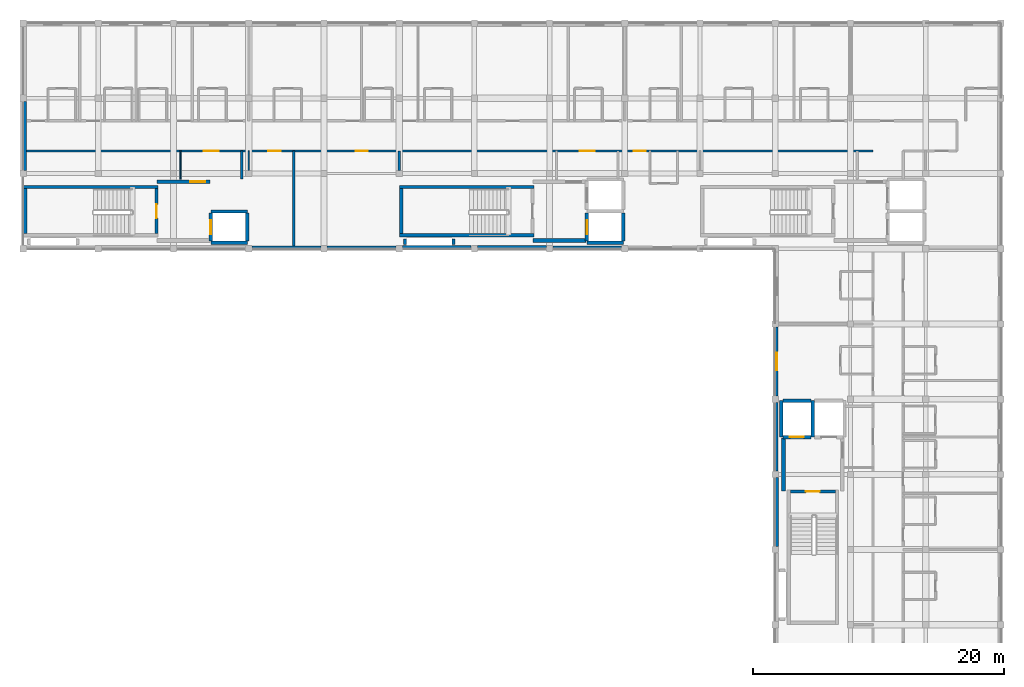
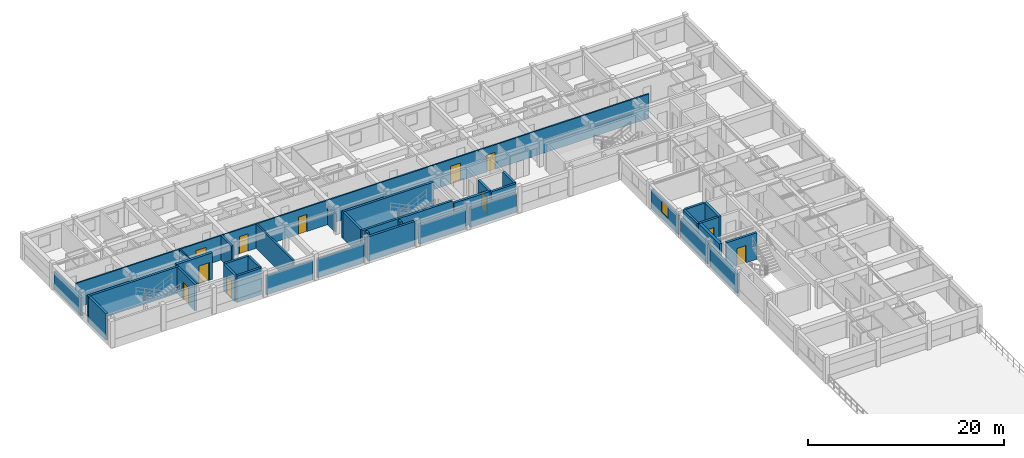
# One storey, part 3 of 14: 38 walls, 11 doors, 1 window, 12 openings.
"""IFC4 building model written with IfcOpenShell, lengths in metres."""

from ifc_helpers import new_model, si_unit, direction, frame, frame_2d, origin, place, context, subcontext, project, spatial, rectangle, extrude, material, layer, layer_set, type_object, element, fill, save


model = new_model("IFC4")

# Units and contexts
model_context = context("Model", 3, precision=1e-05, world=origin(), true_north=direction((0.0, 1.0)))
body_context = subcontext(model_context, "Body", "Model", "MODEL_VIEW")
ifc_project = project(units=[si_unit("LENGTHUNIT", "METRE"), si_unit("AREAUNIT", "SQUARE_METRE"), si_unit("VOLUMEUNIT", "CUBIC_METRE"), si_unit("PLANEANGLEUNIT", "RADIAN"), si_unit("MASSUNIT", "GRAM", prefix="KILO"), si_unit("THERMODYNAMICTEMPERATUREUNIT", "KELVIN"), si_unit("POWERUNIT", "WATT")], contexts=[model_context])

# Site, building, storey
site_placement = place(None, origin())
site = spatial("IfcSite", under=ifc_project, at=site_placement, CompositionType="ELEMENT")
building_placement = place(site_placement, origin())
building = spatial("IfcBuilding", under=site, at=building_placement, Name="Phaisarnlok Congress Hotel", CompositionType="ELEMENT")
storey_placement = place(building_placement, frame((0.0, 0.0, 44.699951171875)))
storey = spatial("IfcBuildingStorey", under=building, at=storey_placement, Name="L11", CompositionType="ELEMENT", Elevation=44.699951171875)

# Walls
ifc_material_1 = material(Name="Concrete C40/50", Category="concrete")
ifc_layer_1 = layer(ifc_material_1, 0.2099609375, Name="Concrete C40/50")
ifc_layer_set_1 = layer_set([ifc_layer_1], Name="Concrete C40/50")
wall_type_1 = type_object("IfcWallType", Name="WL-EXT-210", PredefinedType="SOLIDWALL", material=ifc_layer_set_1)
for number, where, z_axis, x_axis, name in (
    (1, (126.2548828125, 108.10498046875, 0.0), (0.0, 0.0, 1.0), (1.0, 0.0, 0.0), "Exterior wall EW-07 (L11)"),
    (2, (162.10498046875, 95.7451171875, 0.0), (0.0, 0.0, 1.0), (0.0, -1.0, 0.0), "Exterior wall EW-07 (L11)"),
):
    element("IfcWall", number, at=place(storey_placement, frame(where, z_axis=z_axis, x_axis=x_axis)), inside=storey, type_object=wall_type_1, Name=name, PredefinedType="SOLIDWALL", context=body_context, shape_type="SweptSolid", body=[
        extrude(rectangle(XDim=5.490234375, YDim=0.2099609375, at=frame_2d((2.7451171875, 0.0))), origin(), (0.0, 0.0, 1.0), 2.400146484375),
    ])
ifc_layer_2 = layer(ifc_material_1, 0.22998046875, Name="Concrete C40/50")
ifc_layer_set_2 = layer_set([ifc_layer_2], Name="Concrete C40/50")
wall_type_2 = type_object("IfcWallType", Name="WL-EXT-230", PredefinedType="SOLIDWALL", material=ifc_layer_set_2)
for number, where, z_axis, x_axis, name in (
    (3, (120.2548828125, 108.114990234375, 0.0), (0.0, 0.0, 1.0), (1.0, 0.0, 0.0), "Exterior wall EW-06 (L11)"),
    (4, (144.2548828125, 108.114990234375, 0.0), (0.0, 0.0, 1.0), (1.0, 0.0, 0.0), "Exterior wall EW-06 (L11)"),
):
    element("IfcWall", number, at=place(storey_placement, frame(where, z_axis=z_axis, x_axis=x_axis)), inside=storey, type_object=wall_type_2, Name=name, PredefinedType="SOLIDWALL", context=body_context, shape_type="SweptSolid", body=[
        extrude(rectangle(XDim=5.490234375, YDim=0.22998046875, at=frame_2d((2.7451171875, 0.0))), origin(), (0.0, 0.0, 1.0), 2.400146484375),
    ])

# Wall, opening, window
wall_1_placement = place(storey_placement, frame((162.114990234375, 101.7451171875, 0.0), z_axis=(0.0, 0.0, 1.0), x_axis=(0.0, -1.0, 0.0)))
wall_1 = element("IfcWall", 5, at=wall_1_placement, inside=storey, type_object=wall_type_2, Name="Exterior wall EW-06 (L11)", PredefinedType="SOLIDWALL", context=body_context, shape_type="SweptSolid", body=[
    extrude(rectangle(XDim=5.490234375, YDim=0.22998046875, at=frame_2d((2.7451171875, 0.0))), origin(), (0.0, 0.0, 1.0), 2.400146484375),
])
opening_1_placement = place(wall_1_placement, frame((2.044921875, 0.0, 0.800048828125)))
opening_1 = element("IfcOpeningElement", 6, at=opening_1_placement, cuts=wall_1, Name="Opening W-13", PredefinedType="OPENING", context=body_context, shape_type="SweptSolid", body=[
    extrude(rectangle(XDim=1.39990234375, YDim=1.39990234375, at=frame_2d((0.699951171875, 0.699951171875))), frame((0.0, 0.125, 0.0), z_axis=(0.0, -1.0, 0.0), x_axis=(1.0, 0.0, 0.0)), (0.0, 0.0, 1.0), 0.25),
])
ifc_material_2 = material(Name="Thermally Broken Aluminium & Low-E Double Glazing", Category="aluminium")
window_type = type_object("IfcWindowType", Name="WIN-POD-1400", PartitioningType="SINGLE_PANEL", PredefinedType="WINDOW", material=ifc_material_2)
window_placement = place(opening_1_placement, origin())
window = element("IfcWindow", 7, at=window_placement, inside=storey, type_object=window_type, Name="Guestroom window W-13 (L11)", OverallHeight=1.39990234375, OverallWidth=1.39990234375, PartitioningType="SINGLE_PANEL", PredefinedType="WINDOW", context=body_context, shape_type="SweptSolid", body=[
    extrude(rectangle(XDim=1.39990234375, YDim=1.39990234375, at=frame_2d((0.699951171875, 0.699951171875))), frame((0.0, 0.030029296875, 0.0), z_axis=(0.0, -1.0, 0.0), x_axis=(1.0, 0.0, 0.0)), (0.0, 0.0, 1.0), 0.06005859375),
])
fill(opening_1, window)

# Walls
ifc_layer_3 = layer(ifc_material_1, 0.25, Name="Concrete C40/50")
ifc_layer_set_3 = layer_set([ifc_layer_3], Name="Concrete C40/50")
wall_type_3 = type_object("IfcWallType", Name="WL-EXT-250", PredefinedType="SOLIDWALL", material=ifc_layer_set_3)
wall_2_placement = place(storey_placement, frame((102.125, 119.7451171875, 0.0), z_axis=(0.0, 0.0, 1.0), x_axis=(0.0, -1.0, 0.0)))
element("IfcWall", 8, at=wall_2_placement, inside=storey, type_object=wall_type_3, Name="Exterior wall EW-05 (L11)", PredefinedType="SOLIDWALL", context=body_context, shape_type="SweptSolid", body=[
    extrude(rectangle(XDim=5.490234375, YDim=0.25, at=frame_2d((2.7451171875, 0.0))), origin(), (0.0, 0.0, 1.0), 2.25),
])
wall_3_placement = place(storey_placement, frame((138.2548828125, 108.125, 0.0), z_axis=(0.0, 0.0, 1.0), x_axis=(1.0, 0.0, 0.0)))
element("IfcWall", 9, at=wall_3_placement, inside=storey, type_object=wall_type_3, Name="Exterior wall EW-05 (L11)", PredefinedType="SOLIDWALL", context=body_context, shape_type="SweptSolid", body=[
    extrude(rectangle(XDim=5.490234375, YDim=0.25, at=frame_2d((2.7451171875, 0.0))), origin(), (0.0, 0.0, 1.0), 2.400146484375),
])
ifc_layer_4 = layer(ifc_material_1, 0.27001953125, Name="Concrete C40/50")
ifc_layer_set_4 = layer_set([ifc_layer_4], Name="Concrete C40/50")
wall_type_4 = type_object("IfcWallType", Name="WL-EXT-270", PredefinedType="SOLIDWALL", material=ifc_layer_set_4)
wall_4_placement = place(storey_placement, frame((132.2548828125, 108.135009765625, 0.0), z_axis=(0.0, 0.0, 1.0), x_axis=(1.0, 0.0, 0.0)))
element("IfcWall", 10, at=wall_4_placement, inside=storey, type_object=wall_type_4, Name="Exterior wall EW-04 (L11)", PredefinedType="SOLIDWALL", context=body_context, shape_type="SweptSolid", body=[
    extrude(rectangle(XDim=5.490234375, YDim=0.27001953125, at=frame_2d((2.7451171875, 0.0))), origin(), (0.0, 0.0, 1.0), 3.050048828125),
])
wall_5_placement = place(storey_placement, frame((162.135009765625, 89.7451171875, 0.0), z_axis=(0.0, 0.0, 1.0), x_axis=(0.0, -1.0, 0.0)))
element("IfcWall", 11, at=wall_5_placement, inside=storey, type_object=wall_type_4, Name="Exterior wall EW-04 (L11)", PredefinedType="SOLIDWALL", context=body_context, shape_type="SweptSolid", body=[
    extrude(rectangle(XDim=5.490234375, YDim=0.27001953125, at=frame_2d((2.7451171875, 0.0))), origin(), (0.0, 0.0, 1.0), 2.400146484375),
])
ifc_material_3 = material(Name="Service Riser Shaftwall Partition", Category="gypsum")
ifc_layer_5 = layer(ifc_material_3, 0.10498046875, Name="Service Riser Shaftwall Partition")
ifc_layer_set_5 = layer_set([ifc_layer_5], Name="Service Riser Shaftwall Partition")
wall_type_5 = type_object("IfcWallType", Name="WL-INT-105", PredefinedType="PARTITIONING", material=ifc_layer_set_5)
wall_6_placement = place(storey_placement, frame((114.550048828125, 113.56005859375, 0.0), z_axis=(0.0, 0.0, 1.0), x_axis=(0.0, 1.0, 0.0)))
element("IfcWall", 12, at=wall_6_placement, inside=storey, type_object=wall_type_5, Name="Interior partition wall IW-08 (L11)", PredefinedType="PARTITIONING", context=body_context, shape_type="SweptSolid", body=[
    extrude(rectangle(XDim=2.239990234375, YDim=0.10498046875, at=frame_2d((1.1201171875, 0.0))), origin(), (0.0, 0.0, 1.0), 3.050048828125),
])
wall_7_placement = place(storey_placement, frame((120.0, 114.2548828125, 0.0), z_axis=(0.0, 0.0, 1.0), x_axis=(0.0, 1.0, 0.0)))
element("IfcWall", 13, at=wall_7_placement, inside=storey, type_object=wall_type_5, Name="Interior partition wall IW-08 (L11)", PredefinedType="PARTITIONING", context=body_context, shape_type="SweptSolid", body=[
    extrude(rectangle(XDim=1.545166015625, YDim=0.10498046875, at=frame_2d((0.7724609375, 0.0))), origin(), (0.0, 0.0, 1.0), 2.25),
])

# Wall, openings, doors
ifc_material_4 = material(Name="Double-Stud Acoustic Gypsum Partition", Category="gypsum")
ifc_layer_6 = layer(ifc_material_4, 0.159912109375, Name="Double-Stud Acoustic Gypsum Partition")
ifc_layer_set_6 = layer_set([ifc_layer_6], Name="Double-Stud Acoustic Gypsum Partition")
wall_type_6 = type_object("IfcWallType", Name="WL-INT-160", PredefinedType="PARTITIONING", material=ifc_layer_set_6)
wall_8_placement = place(storey_placement, frame((102.2548828125, 115.800048828125, 0.0), z_axis=(0.0, 0.0, 1.0), x_axis=(1.0, 0.0, 0.0)))
wall_8 = element("IfcWall", 14, at=wall_8_placement, inside=storey, type_object=wall_type_6, Name="Interior partition wall IW-04 (L11)", PredefinedType="PARTITIONING", context=body_context, shape_type="SweptSolid", body=[
    extrude(rectangle(XDim=67.545166015625, YDim=0.159912109375, at=frame_2d((33.7724609375, 0.0))), origin(), (0.0, 0.0, 1.0), 3.050048828125),
])
opening_2_placement = place(wall_8_placement, frame((44.14501953125, 0.0, 0.0)))
opening_2 = element("IfcOpeningElement", 15, at=opening_2_placement, cuts=wall_8, Name="Opening D-0622", PredefinedType="OPENING", context=body_context, shape_type="SweptSolid", body=[
    extrude(rectangle(XDim=1.199951171875, YDim=2.199951171875, at=frame_2d((0.60009765625, 1.10009765625))), frame((0.0, 0.08984375, 0.0), z_axis=(0.0, -1.0, 0.0), x_axis=(1.0, 0.0, 0.0)), (0.0, 0.0, 1.0), 0.179931640625),
])
opening_3_placement = place(wall_8_placement, frame((14.14501953125, 0.0, 0.0)))
opening_3 = element("IfcOpeningElement", 16, at=opening_3_placement, cuts=wall_8, Name="Opening D-0623", PredefinedType="OPENING", context=body_context, shape_type="SweptSolid", body=[
    extrude(rectangle(XDim=1.199951171875, YDim=2.199951171875, at=frame_2d((0.60009765625, 1.10009765625))), frame((0.0, 0.08984375, 0.0), z_axis=(0.0, -1.0, 0.0), x_axis=(1.0, 0.0, 0.0)), (0.0, 0.0, 1.0), 0.179931640625),
])
opening_4_placement = place(wall_8_placement, frame((19.294921875, 0.0, 0.0)))
opening_4 = element("IfcOpeningElement", 17, at=opening_4_placement, cuts=wall_8, Name="Opening D-0625", PredefinedType="OPENING", context=body_context, shape_type="SweptSolid", body=[
    extrude(rectangle(XDim=1.0, YDim=2.14990234375, at=frame_2d((0.5, 1.074951171875))), frame((0.0, 0.08984375, 0.0), z_axis=(0.0, -1.0, 0.0), x_axis=(1.0, 0.0, 0.0)), (0.0, 0.0, 1.0), 0.179931640625),
])
opening_5_placement = place(wall_8_placement, frame((26.264892578125, 0.0, 0.0)))
opening_5 = element("IfcOpeningElement", 18, at=opening_5_placement, cuts=wall_8, Name="Opening D-0626", PredefinedType="OPENING", context=body_context, shape_type="SweptSolid", body=[
    extrude(rectangle(XDim=0.9599609375, YDim=2.14990234375, at=frame_2d((0.47998046875, 1.074951171875))), frame((0.0, 0.08984375, 0.0), z_axis=(0.0, -1.0, 0.0), x_axis=(1.0, 0.0, 0.0)), (0.0, 0.0, 1.0), 0.179931640625),
])
opening_6_placement = place(wall_8_placement, frame((48.469970703125, 0.0, 0.0)))
opening_6 = element("IfcOpeningElement", 19, at=opening_6_placement, cuts=wall_8, Name="Opening D-0653", PredefinedType="OPENING", context=body_context, shape_type="SweptSolid", body=[
    extrude(rectangle(XDim=0.949951171875, YDim=2.10009765625, at=frame_2d((0.47509765625, 1.050048828125))), frame((0.0, 0.08984375, 0.0), z_axis=(0.0, -1.0, 0.0), x_axis=(1.0, 0.0, 0.0)), (0.0, 0.0, 1.0), 0.179931640625),
])
ifc_material_5 = material(Name="Acoustic Solid-Core Teak Veneer", Category="wood")
door_type_1 = type_object("IfcDoorType", Name="DR-FD30-950", OperationType="NOTDEFINED", PredefinedType="DOOR", material=ifc_material_5)
door_1_placement = place(opening_6_placement, origin())
door_1 = element("IfcDoor", 20, at=door_1_placement, inside=storey, type_object=door_type_1, Name="Interior door D-0653 (L11)", OperationType="SINGLE_SWING_LEFT", OverallHeight=2.10009765625, OverallWidth=0.949951171875, PredefinedType="DOOR", context=body_context, shape_type="SweptSolid", body=[
    extrude(rectangle(XDim=0.949951171875, YDim=2.10009765625, at=frame_2d((0.47509765625, 1.050048828125))), frame((0.0, 0.02490234375, 0.0), z_axis=(0.0, -1.0, 0.0), x_axis=(1.0, 0.0, 0.0)), (0.0, 0.0, 1.0), 0.050048828125),
])
fill(opening_6, door_1)
ifc_material_6 = material(Name="Fire-Rated Steel Frame & Timber Leaf", Category="steel")
door_type_2 = type_object("IfcDoorType", Name="DR-FD60-1200", OperationType="NOTDEFINED", PredefinedType="DOOR", material=ifc_material_6)
door_2_placement = place(opening_2_placement, origin())
door_2 = element("IfcDoor", 21, at=door_2_placement, inside=storey, type_object=door_type_2, Name="Interior door D-0622 (L11)", OperationType="SINGLE_SWING_RIGHT", OverallHeight=2.199951171875, OverallWidth=1.199951171875, PredefinedType="DOOR", context=body_context, shape_type="SweptSolid", body=[
    extrude(rectangle(XDim=1.199951171875, YDim=2.199951171875, at=frame_2d((0.60009765625, 1.10009765625))), frame((0.0, 0.02490234375, 0.0), z_axis=(0.0, -1.0, 0.0), x_axis=(1.0, 0.0, 0.0)), (0.0, 0.0, 1.0), 0.050048828125),
])
fill(opening_2, door_2)
door_3_placement = place(opening_3_placement, origin())
door_3 = element("IfcDoor", 22, at=door_3_placement, inside=storey, type_object=door_type_2, Name="Interior door D-0623 (L11)", OperationType="SINGLE_SWING_LEFT", OverallHeight=2.199951171875, OverallWidth=1.199951171875, PredefinedType="DOOR", context=body_context, shape_type="SweptSolid", body=[
    extrude(rectangle(XDim=1.199951171875, YDim=2.199951171875, at=frame_2d((0.60009765625, 1.10009765625))), frame((0.0, 0.02490234375, 0.0), z_axis=(0.0, -1.0, 0.0), x_axis=(1.0, 0.0, 0.0)), (0.0, 0.0, 1.0), 0.050048828125),
])
fill(opening_3, door_3)
door_type_3 = type_object("IfcDoorType", Name="DR-FD60-950", OperationType="NOTDEFINED", PredefinedType="DOOR", material=ifc_material_6)
door_4_placement = place(opening_5_placement, origin())
door_4 = element("IfcDoor", 23, at=door_4_placement, inside=storey, type_object=door_type_3, Name="Interior door D-0626 (L11)", OperationType="SINGLE_SWING_RIGHT", OverallHeight=2.14990234375, OverallWidth=0.9599609375, PredefinedType="DOOR", context=body_context, shape_type="SweptSolid", body=[
    extrude(rectangle(XDim=0.9599609375, YDim=2.14990234375, at=frame_2d((0.47998046875, 1.074951171875))), frame((0.0, 0.02490234375, 0.0), z_axis=(0.0, -1.0, 0.0), x_axis=(1.0, 0.0, 0.0)), (0.0, 0.0, 1.0), 0.050048828125),
])
fill(opening_5, door_4)
ifc_material_7 = material(Name="Solid-Core Oak Veneer", Category="wood")
door_type_4 = type_object("IfcDoorType", Name="DR-INT-1000", OperationType="NOTDEFINED", PredefinedType="DOOR", material=ifc_material_7)
door_5_placement = place(opening_4_placement, origin())
door_5 = element("IfcDoor", 24, at=door_5_placement, inside=storey, type_object=door_type_4, Name="Interior door D-0625 (L11)", OperationType="SINGLE_SWING_LEFT", OverallHeight=2.14990234375, OverallWidth=1.0, PredefinedType="DOOR", context=body_context, shape_type="SweptSolid", body=[
    extrude(rectangle(XDim=1.0, YDim=2.14990234375, at=frame_2d((0.5, 1.074951171875))), frame((0.0, 0.02490234375, 0.0), z_axis=(0.0, -1.0, 0.0), x_axis=(1.0, 0.0, 0.0)), (0.0, 0.0, 1.0), 0.050048828125),
])
fill(opening_4, door_5)

# Walls
ifc_material_8 = material(Name="Autoclaved Aerated Concrete Block", Category="concrete")
ifc_layer_7 = layer(ifc_material_8, 0.199951171875, Name="Autoclaved Aerated Concrete Block")
ifc_layer_set_7 = layer_set([ifc_layer_7], Name="Autoclaved Aerated Concrete Block")
wall_type_7 = type_object("IfcWallType", Name="WL-INT-200", PredefinedType="PARTITIONING", material=ifc_layer_set_7)
wall_9_placement = place(storey_placement, frame((119.449951171875, 113.56005859375, 0.0), z_axis=(0.0, 0.0, 1.0), x_axis=(0.0, 1.0, 0.0)))
element("IfcWall", 25, at=wall_9_placement, inside=storey, type_object=wall_type_7, Name="Interior partition wall IW-02 (L11)", PredefinedType="PARTITIONING", context=body_context, shape_type="SweptSolid", body=[
    extrude(rectangle(XDim=2.239990234375, YDim=0.199951171875, at=frame_2d((1.1201171875, 0.0))), origin(), (0.0, 0.0, 1.0), 3.050048828125),
])
wall_10_placement = place(storey_placement, frame((123.60009765625, 108.235107421875, 0.0), z_axis=(0.0, 0.0, 1.0), x_axis=(0.0, 1.0, 0.0)))
element("IfcWall", 26, at=wall_10_placement, inside=storey, type_object=wall_type_7, Name="Interior partition wall IW-02 (L11)", PredefinedType="PARTITIONING", context=body_context, shape_type="SweptSolid", body=[
    extrude(rectangle(XDim=7.56494140625, YDim=0.199951171875, at=frame_2d((3.782470703125, 0.0))), origin(), (0.0, 0.0, 1.0), 3.050048828125),
])
wall_11_placement = place(storey_placement, frame((132.0, 114.2548828125, 0.0), z_axis=(0.0, 0.0, 1.0), x_axis=(0.0, 1.0, 0.0)))
element("IfcWall", 27, at=wall_11_placement, inside=storey, type_object=wall_type_7, Name="Interior partition wall IW-02 (L11)", PredefinedType="PARTITIONING", context=body_context, shape_type="SweptSolid", body=[
    extrude(rectangle(XDim=1.545166015625, YDim=0.199951171875, at=frame_2d((0.7724609375, 0.0))), origin(), (0.0, 0.0, 1.0), 2.25),
])
ifc_material_9 = material(Name="Concrete C50/60", Category="concrete")
ifc_layer_8 = layer(ifc_material_9, 0.260009765625, Name="Concrete C50/60")
ifc_layer_set_8 = layer_set([ifc_layer_8], Name="Concrete C50/60")
wall_type_8 = type_object("IfcWallType", Name="WL-SHR-260", PredefinedType="SHEAR", material=ifc_layer_set_8)
for number, where, z_axis, x_axis, name in (
    (28, (132.0400390625, 109.070068359375, 0.0), (0.0, 0.0, 1.0), (1.0, 0.0, 0.0), "Stair shaft shear wall SW-04 (CORE-2 L11)"),
    (29, (132.0400390625, 112.929931640625, 0.0), (0.0, 0.0, 1.0), (1.0, 0.0, 0.0), "Stair shaft shear wall SW-04 (CORE-2 L11)"),
):
    element("IfcWall", number, at=place(storey_placement, frame(where, z_axis=z_axis, x_axis=x_axis)), inside=storey, type_object=wall_type_8, Name=name, PredefinedType="SHEAR", context=body_context, shape_type="SweptSolid", body=[
        extrude(rectangle(XDim=10.719970703125, YDim=0.260009765625, at=frame_2d((5.35986328125, 0.0))), origin(), (0.0, 0.0, 1.0), 3.300048828125),
    ])
wall_12_placement = place(storey_placement, frame((132.169921875, 109.199951171875, 0.0), z_axis=(0.0, 0.0, 1.0), x_axis=(0.0, 1.0, 0.0)))
element("IfcWall", 30, at=wall_12_placement, inside=storey, type_object=wall_type_8, Name="Stair shaft shear wall SW-04 (CORE-2 L11)", PredefinedType="SHEAR", context=body_context, shape_type="SweptSolid", body=[
    extrude(rectangle(XDim=3.60009765625, YDim=0.260009765625, at=frame_2d((1.800048828125, 0.0))), origin(), (0.0, 0.0, 1.0), 3.300048828125),
])
wall_13_placement = place(storey_placement, frame((146.969970703125, 108.469970703125, 0.0), z_axis=(0.0, 0.0, 1.0), x_axis=(1.0, 0.0, 0.0)))
element("IfcWall", 31, at=wall_13_placement, inside=storey, type_object=wall_type_8, Name="Lift shaft shear wall SW-04 (LF-FF2 L11)", PredefinedType="SHEAR", context=body_context, shape_type="SweptSolid", body=[
    extrude(rectangle(XDim=2.909912109375, YDim=0.260009765625, at=frame_2d((1.455078125, 0.0))), origin(), (0.0, 0.0, 1.0), 3.300048828125),
])
wall_14_placement = place(storey_placement, frame((149.8798828125, 108.60009765625, 0.0), z_axis=(0.0, 0.0, 1.0), x_axis=(0.0, 1.0, 0.0)))
element("IfcWall", 32, at=wall_14_placement, inside=storey, type_object=wall_type_8, Name="Lift shaft shear wall SW-04 (LF-FF2 L11)", PredefinedType="SHEAR", context=body_context, shape_type="SweptSolid", body=[
    extrude(rectangle(XDim=2.25, YDim=0.260009765625, at=frame_2d((1.125, 0.0))), origin(), (0.0, 0.0, 1.0), 3.300048828125),
])

# Wall, opening, door
wall_15_placement = place(storey_placement, frame((146.969970703125, 108.60009765625, 0.0), z_axis=(0.0, 0.0, 1.0), x_axis=(0.0, 1.0, 0.0)))
wall_15 = element("IfcWall", 33, at=wall_15_placement, inside=storey, type_object=wall_type_8, Name="Lift shaft front wall SW-04 (LF-FF2 L11)", PredefinedType="SHEAR", context=body_context, shape_type="SweptSolid", body=[
    extrude(rectangle(XDim=2.25, YDim=0.260009765625, at=frame_2d((1.125, 0.0))), origin(), (0.0, 0.0, 1.0), 3.300048828125),
])
opening_7_placement = place(wall_15_placement, frame((0.574951171875, 0.0, 0.0)))
opening_7 = element("IfcOpeningElement", 34, at=opening_7_placement, cuts=wall_15, Name="Opening LD-043", PredefinedType="OPENING", context=body_context, shape_type="SweptSolid", body=[
    extrude(rectangle(XDim=1.10009765625, YDim=2.199951171875, at=frame_2d((0.550048828125, 1.10009765625))), frame((0.0, 0.14013671875, 0.0), z_axis=(0.0, -1.0, 0.0), x_axis=(1.0, 0.0, 0.0)), (0.0, 0.0, 1.0), 0.280029296875),
])
ifc_material_10 = material(Name="Brushed Stainless Steel Grade 304", Category="steel")
door_type_5 = type_object("IfcDoorType", Name="DR-LD-1100", OperationType="DOUBLE_DOOR_SLIDING", PredefinedType="DOOR", material=ifc_material_10)
door_6_placement = place(opening_7_placement, origin())
door_6 = element("IfcDoor", 35, at=door_6_placement, inside=storey, type_object=door_type_5, Name="Lift landing sliding door LD-043 (LF-FF2 L11)", OperationType="DOUBLE_DOOR_SLIDING", OverallHeight=2.199951171875, OverallWidth=1.10009765625, PredefinedType="DOOR", context=body_context, shape_type="SweptSolid", body=[
    extrude(rectangle(XDim=1.10009765625, YDim=2.199951171875, at=frame_2d((0.550048828125, 1.10009765625))), frame((0.0, 0.02490234375, 0.0), z_axis=(0.0, -1.0, 0.0), x_axis=(1.0, 0.0, 0.0)), (0.0, 0.0, 1.0), 0.050048828125),
])
fill(opening_7, door_6)

# Walls
for number, where, z_axis, x_axis, name in (
    (36, (132.469970703125, 108.330078125, 0.0), (0.0, 0.0, 1.0), (0.0, 1.0, 0.0), "Service riser shaft wall SW-04 (CORE-2 L11)"),
    (37, (136.330078125, 108.330078125, 0.0), (0.0, 0.0, 1.0), (0.0, 1.0, 0.0), "Service riser shaft wall SW-04 (CORE-2 L11)"),
):
    element("IfcWall", number, at=place(storey_placement, frame(where, z_axis=z_axis, x_axis=x_axis)), inside=storey, type_object=wall_type_8, Name=name, PredefinedType="SHEAR", context=body_context, shape_type="SweptSolid", body=[
        extrude(rectangle(XDim=0.43994140625, YDim=0.260009765625, at=frame_2d((0.219970703125, 0.0))), origin(), (0.0, 0.0, 1.0), 3.300048828125),
    ])

# Wall, opening, door
wall_16_placement = place(storey_placement, frame((163.199951171875, 88.6298828125, 0.0), z_axis=(0.0, 0.0, 1.0), x_axis=(1.0, 0.0, 0.0)))
wall_16 = element("IfcWall", 38, at=wall_16_placement, inside=storey, type_object=wall_type_8, Name="Stair shaft shear wall SW-04 (CORE-3 L11)", PredefinedType="SHEAR", context=body_context, shape_type="SweptSolid", body=[
    extrude(rectangle(XDim=3.60009765625, YDim=0.260009765625, at=frame_2d((1.800048828125, 0.0))), origin(), (0.0, 0.0, 1.0), 3.300048828125),
])
opening_8_placement = place(wall_16_placement, frame((1.25, 0.0, 0.0)))
opening_8 = element("IfcOpeningElement", 39, at=opening_8_placement, cuts=wall_16, Name="Opening FD-073", PredefinedType="OPENING", context=body_context, shape_type="SweptSolid", body=[
    extrude(rectangle(XDim=1.10009765625, YDim=2.14990234375, at=frame_2d((0.550048828125, 1.074951171875))), frame((0.0, 0.14013671875, 0.0), z_axis=(0.0, -1.0, 0.0), x_axis=(1.0, 0.0, 0.0)), (0.0, 0.0, 1.0), 0.280029296875),
])
door_type_6 = type_object("IfcDoorType", Name="DR-FD60-1100", OperationType="NOTDEFINED", PredefinedType="DOOR", material=ifc_material_6)
door_7_placement = place(opening_8_placement, origin())
door_7 = element("IfcDoor", 40, at=door_7_placement, inside=storey, type_object=door_type_6, Name="Stair enclosure fire door FD-073 (L11)", OperationType="SINGLE_SWING_RIGHT", OverallHeight=2.14990234375, OverallWidth=1.10009765625, PredefinedType="DOOR", context=body_context, shape_type="SweptSolid", body=[
    extrude(rectangle(XDim=1.10009765625, YDim=2.14990234375, at=frame_2d((0.550048828125, 1.074951171875))), frame((0.0, 0.02490234375, 0.0), z_axis=(0.0, -1.0, 0.0), x_axis=(1.0, 0.0, 0.0)), (0.0, 0.0, 1.0), 0.050048828125),
])
fill(opening_8, door_7)

# Walls
wall_17_placement = place(storey_placement, frame((162.469970703125, 92.969970703125, 0.0), z_axis=(0.0, 0.0, 1.0), x_axis=(0.0, 1.0, 0.0)))
element("IfcWall", 41, at=wall_17_placement, inside=storey, type_object=wall_type_8, Name="Lift shaft shear wall SW-04 (LF-HP3 L11)", PredefinedType="SHEAR", context=body_context, shape_type="SweptSolid", body=[
    extrude(rectangle(XDim=2.909912109375, YDim=0.260009765625, at=frame_2d((1.455078125, 0.0))), origin(), (0.0, 0.0, 1.0), 3.300048828125),
])
wall_18_placement = place(storey_placement, frame((162.60009765625, 95.8798828125, 0.0), z_axis=(0.0, 0.0, 1.0), x_axis=(1.0, 0.0, 0.0)))
element("IfcWall", 42, at=wall_18_placement, inside=storey, type_object=wall_type_8, Name="Lift shaft shear wall SW-04 (LF-HP3 L11)", PredefinedType="SHEAR", context=body_context, shape_type="SweptSolid", body=[
    extrude(rectangle(XDim=2.25, YDim=0.260009765625, at=frame_2d((1.125, 0.0))), origin(), (0.0, 0.0, 1.0), 3.300048828125),
])

# Wall, opening, door
wall_19_placement = place(storey_placement, frame((162.60009765625, 92.969970703125, 0.0), z_axis=(0.0, 0.0, 1.0), x_axis=(1.0, 0.0, 0.0)))
wall_19 = element("IfcWall", 43, at=wall_19_placement, inside=storey, type_object=wall_type_8, Name="Lift shaft front wall SW-04 (LF-HP3 L11)", PredefinedType="SHEAR", context=body_context, shape_type="SweptSolid", body=[
    extrude(rectangle(XDim=2.25, YDim=0.260009765625, at=frame_2d((1.125, 0.0))), origin(), (0.0, 0.0, 1.0), 3.300048828125),
])
opening_9_placement = place(wall_19_placement, frame((0.574951171875, 0.0, 0.0)))
opening_9 = element("IfcOpeningElement", 44, at=opening_9_placement, cuts=wall_19, Name="Opening LD-073", PredefinedType="OPENING", context=body_context, shape_type="SweptSolid", body=[
    extrude(rectangle(XDim=1.10009765625, YDim=2.199951171875, at=frame_2d((0.550048828125, 1.10009765625))), frame((0.0, 0.14013671875, 0.0), z_axis=(0.0, -1.0, 0.0), x_axis=(1.0, 0.0, 0.0)), (0.0, 0.0, 1.0), 0.280029296875),
])
door_8_placement = place(opening_9_placement, origin())
door_8 = element("IfcDoor", 45, at=door_8_placement, inside=storey, type_object=door_type_5, Name="Lift landing sliding door LD-073 (LF-HP3 L11)", OperationType="DOUBLE_DOOR_SLIDING", OverallHeight=2.199951171875, OverallWidth=1.10009765625, PredefinedType="DOOR", context=body_context, shape_type="SweptSolid", body=[
    extrude(rectangle(XDim=1.10009765625, YDim=2.199951171875, at=frame_2d((0.550048828125, 1.10009765625))), frame((0.0, 0.02490234375, 0.0), z_axis=(0.0, -1.0, 0.0), x_axis=(1.0, 0.0, 0.0)), (0.0, 0.0, 1.0), 0.050048828125),
])
fill(opening_9, door_8)

# Wall
wall_20_placement = place(storey_placement, frame((102.0400390625, 112.929931640625, 0.0), z_axis=(0.0, 0.0, 1.0), x_axis=(1.0, 0.0, 0.0)))
element("IfcWall", 46, at=wall_20_placement, inside=storey, type_object=wall_type_8, Name="Stair shaft shear wall SW-04 (CORE-4 L11)", PredefinedType="SHEAR", context=body_context, shape_type="SweptSolid", body=[
    extrude(rectangle(XDim=10.719970703125, YDim=0.260009765625, at=frame_2d((5.35986328125, 0.0))), origin(), (0.0, 0.0, 1.0), 3.300048828125),
])

# Wall, opening, door
wall_21_placement = place(storey_placement, frame((112.6298828125, 109.199951171875, 0.0), z_axis=(0.0, 0.0, 1.0), x_axis=(0.0, 1.0, 0.0)))
wall_21 = element("IfcWall", 47, at=wall_21_placement, inside=storey, type_object=wall_type_8, Name="Stair shaft shear wall SW-04 (CORE-4 L11)", PredefinedType="SHEAR", context=body_context, shape_type="SweptSolid", body=[
    extrude(rectangle(XDim=3.60009765625, YDim=0.260009765625, at=frame_2d((1.800048828125, 0.0))), origin(), (0.0, 0.0, 1.0), 3.300048828125),
])
opening_10_placement = place(wall_21_placement, frame((1.25, 0.0, 0.0)))
opening_10 = element("IfcOpeningElement", 48, at=opening_10_placement, cuts=wall_21, Name="Opening FD-103", PredefinedType="OPENING", context=body_context, shape_type="SweptSolid", body=[
    extrude(rectangle(XDim=1.10009765625, YDim=2.14990234375, at=frame_2d((0.550048828125, 1.074951171875))), frame((0.0, 0.14013671875, 0.0), z_axis=(0.0, -1.0, 0.0), x_axis=(1.0, 0.0, 0.0)), (0.0, 0.0, 1.0), 0.280029296875),
])
door_9_placement = place(opening_10_placement, origin())
door_9 = element("IfcDoor", 49, at=door_9_placement, inside=storey, type_object=door_type_6, Name="Stair enclosure fire door FD-103 (L11)", OperationType="SINGLE_SWING_RIGHT", OverallHeight=2.14990234375, OverallWidth=1.10009765625, PredefinedType="DOOR", context=body_context, shape_type="SweptSolid", body=[
    extrude(rectangle(XDim=1.10009765625, YDim=2.14990234375, at=frame_2d((0.550048828125, 1.074951171875))), frame((0.0, 0.02490234375, 0.0), z_axis=(0.0, -1.0, 0.0), x_axis=(1.0, 0.0, 0.0)), (0.0, 0.0, 1.0), 0.050048828125),
])
fill(opening_10, door_9)

# Walls
for number, where, z_axis, x_axis, name in (
    (50, (116.969970703125, 108.469970703125, 0.0), (0.0, 0.0, 1.0), (1.0, 0.0, 0.0), "Lift shaft shear wall SW-04 (LF-HP4 L11)"),
    (51, (116.969970703125, 110.97998046875, 0.0), (0.0, 0.0, 1.0), (1.0, 0.0, 0.0), "Lift shaft shear wall SW-04 (LF-HP4 L11)"),
):
    element("IfcWall", number, at=place(storey_placement, frame(where, z_axis=z_axis, x_axis=x_axis)), inside=storey, type_object=wall_type_8, Name=name, PredefinedType="SHEAR", context=body_context, shape_type="SweptSolid", body=[
        extrude(rectangle(XDim=2.909912109375, YDim=0.260009765625, at=frame_2d((1.455078125, 0.0))), origin(), (0.0, 0.0, 1.0), 3.300048828125),
    ])
wall_22_placement = place(storey_placement, frame((119.8798828125, 108.60009765625, 0.0), z_axis=(0.0, 0.0, 1.0), x_axis=(0.0, 1.0, 0.0)))
element("IfcWall", 52, at=wall_22_placement, inside=storey, type_object=wall_type_8, Name="Lift shaft shear wall SW-04 (LF-HP4 L11)", PredefinedType="SHEAR", context=body_context, shape_type="SweptSolid", body=[
    extrude(rectangle(XDim=2.25, YDim=0.260009765625, at=frame_2d((1.125, 0.0))), origin(), (0.0, 0.0, 1.0), 3.300048828125),
])

# Wall, opening, door
wall_23_placement = place(storey_placement, frame((116.969970703125, 108.60009765625, 0.0), z_axis=(0.0, 0.0, 1.0), x_axis=(0.0, 1.0, 0.0)))
wall_23 = element("IfcWall", 53, at=wall_23_placement, inside=storey, type_object=wall_type_8, Name="Lift shaft front wall SW-04 (LF-HP4 L11)", PredefinedType="SHEAR", context=body_context, shape_type="SweptSolid", body=[
    extrude(rectangle(XDim=2.25, YDim=0.260009765625, at=frame_2d((1.125, 0.0))), origin(), (0.0, 0.0, 1.0), 3.300048828125),
])
opening_11_placement = place(wall_23_placement, frame((0.574951171875, 0.0, 0.0)))
opening_11 = element("IfcOpeningElement", 54, at=opening_11_placement, cuts=wall_23, Name="Opening LD-103", PredefinedType="OPENING", context=body_context, shape_type="SweptSolid", body=[
    extrude(rectangle(XDim=1.10009765625, YDim=2.199951171875, at=frame_2d((0.550048828125, 1.10009765625))), frame((0.0, 0.14013671875, 0.0), z_axis=(0.0, -1.0, 0.0), x_axis=(1.0, 0.0, 0.0)), (0.0, 0.0, 1.0), 0.280029296875),
])
door_10_placement = place(opening_11_placement, origin())
door_10 = element("IfcDoor", 55, at=door_10_placement, inside=storey, type_object=door_type_5, Name="Lift landing sliding door LD-103 (LF-HP4 L11)", OperationType="DOUBLE_DOOR_SLIDING", OverallHeight=2.199951171875, OverallWidth=1.10009765625, PredefinedType="DOOR", context=body_context, shape_type="SweptSolid", body=[
    extrude(rectangle(XDim=1.10009765625, YDim=2.199951171875, at=frame_2d((0.550048828125, 1.10009765625))), frame((0.0, 0.02490234375, 0.0), z_axis=(0.0, -1.0, 0.0), x_axis=(1.0, 0.0, 0.0)), (0.0, 0.0, 1.0), 0.050048828125),
])
fill(opening_11, door_10)

# Walls
ifc_layer_9 = layer(ifc_material_9, 0.260009765625, Name="Concrete C50/60")
ifc_layer_set_9 = layer_set([ifc_layer_9], Name="Concrete C50/60")
wall_type_9 = type_object("IfcWallType", Name="WL-SHR-260-EXT", PredefinedType="SHEAR", material=ifc_layer_set_9)
wall_24_placement = place(storey_placement, frame((102.169921875, 109.199951171875, 0.0), z_axis=(0.0, 0.0, 1.0), x_axis=(0.0, 1.0, 0.0)))
element("IfcWall", 56, at=wall_24_placement, inside=storey, type_object=wall_type_9, Name="Stair shaft shear wall SW-04E (CORE-4 L11)", PredefinedType="SHEAR", context=body_context, shape_type="SweptSolid", body=[
    extrude(rectangle(XDim=3.60009765625, YDim=0.260009765625, at=frame_2d((1.800048828125, 0.0))), origin(), (0.0, 0.0, 1.0), 3.300048828125),
])
ifc_layer_10 = layer(ifc_material_9, 0.300048828125, Name="Concrete C50/60")
ifc_layer_set_10 = layer_set([ifc_layer_10], Name="Concrete C50/60")
wall_type_10 = type_object("IfcWallType", Name="WL-SHR-300", PredefinedType="SHEAR", material=ifc_layer_set_10)
wall_25_placement = place(storey_placement, frame((142.679931640625, 108.64990234375, 0.0), z_axis=(0.0, 0.0, 1.0), x_axis=(1.0, 0.0, 0.0)))
element("IfcWall", 57, at=wall_25_placement, inside=storey, type_object=wall_type_10, Name="Core lobby EI-120 wall SW-03 (CORE-2 L11)", PredefinedType="SHEAR", context=body_context, shape_type="SweptSolid", body=[
    extrude(rectangle(XDim=4.239990234375, YDim=0.300048828125, at=frame_2d((2.1201171875, 0.0))), origin(), (0.0, 0.0, 1.0), 3.300048828125),
])
wall_26_placement = place(storey_placement, frame((165.0, 92.969970703125, 0.0), z_axis=(0.0, 0.0, 1.0), x_axis=(0.0, 1.0, 0.0)))
element("IfcWall", 58, at=wall_26_placement, inside=storey, type_object=wall_type_10, Name="Lift shaft divider shear wall SW-03 (LF-HP3 L11)", PredefinedType="SHEAR", context=body_context, shape_type="SweptSolid", body=[
    extrude(rectangle(XDim=2.909912109375, YDim=0.300048828125, at=frame_2d((1.455078125, 0.0))), origin(), (0.0, 0.0, 1.0), 3.300048828125),
])
wall_27_placement = place(storey_placement, frame((162.64990234375, 88.679931640625, 0.0), z_axis=(0.0, 0.0, 1.0), x_axis=(0.0, 1.0, 0.0)))
element("IfcWall", 59, at=wall_27_placement, inside=storey, type_object=wall_type_10, Name="Core lobby EI-120 wall SW-03 (CORE-3 L11)", PredefinedType="SHEAR", context=body_context, shape_type="SweptSolid", body=[
    extrude(rectangle(XDim=4.239990234375, YDim=0.300048828125, at=frame_2d((2.1201171875, 0.0))), origin(), (0.0, 0.0, 1.0), 3.300048828125),
])

# Wall, opening, door
wall_28_placement = place(storey_placement, frame((112.679931640625, 113.35009765625, 0.0), z_axis=(0.0, 0.0, 1.0), x_axis=(1.0, 0.0, 0.0)))
wall_28 = element("IfcWall", 60, at=wall_28_placement, inside=storey, type_object=wall_type_10, Name="Core lobby EI-120 wall SW-03 (CORE-4 L11)", PredefinedType="SHEAR", context=body_context, shape_type="SweptSolid", body=[
    extrude(rectangle(XDim=4.239990234375, YDim=0.300048828125, at=frame_2d((2.1201171875, 0.0))), origin(), (0.0, 0.0, 1.0), 3.300048828125),
])
opening_12_placement = place(wall_28_placement, frame((2.64990234375, 0.0, 0.0)))
opening_12 = element("IfcOpeningElement", 61, at=opening_12_placement, cuts=wall_28, Name="Opening FD-118", PredefinedType="OPENING", context=body_context, shape_type="SweptSolid", body=[
    extrude(rectangle(XDim=1.199951171875, YDim=2.199951171875, at=frame_2d((0.60009765625, 1.10009765625))), frame((0.0, 0.16015625, 0.0), z_axis=(0.0, -1.0, 0.0), x_axis=(1.0, 0.0, 0.0)), (0.0, 0.0, 1.0), 0.320068359375),
])
door_11_placement = place(opening_12_placement, origin())
door_11 = element("IfcDoor", 62, at=door_11_placement, inside=storey, type_object=door_type_2, Name="Firefighting lobby entrance door FD-118 (CORE-4 L11)", OperationType="SINGLE_SWING_LEFT", OverallHeight=2.199951171875, OverallWidth=1.199951171875, PredefinedType="DOOR", context=body_context, shape_type="SweptSolid", body=[
    extrude(rectangle(XDim=1.199951171875, YDim=2.199951171875, at=frame_2d((0.60009765625, 1.10009765625))), frame((0.0, 0.02490234375, 0.0), z_axis=(0.0, -1.0, 0.0), x_axis=(1.0, 0.0, 0.0)), (0.0, 0.0, 1.0), 0.050048828125),
])
fill(opening_12, door_11)

save(model, "model.ifc")
